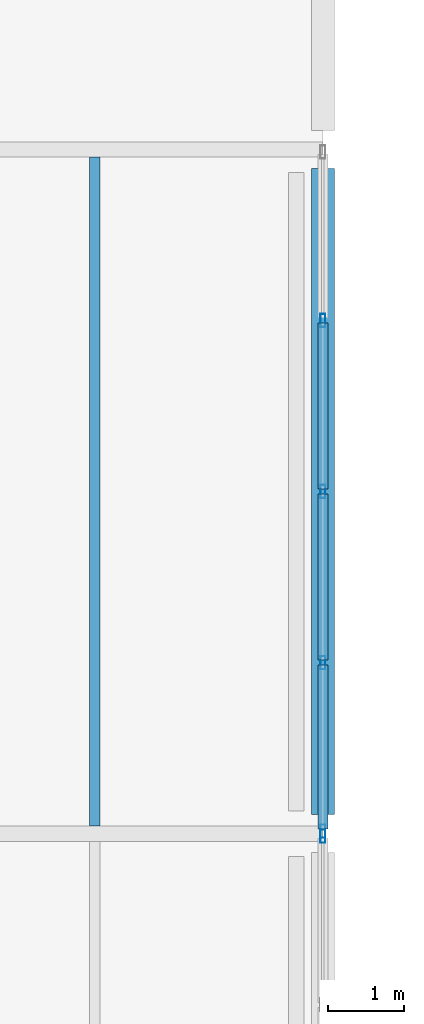
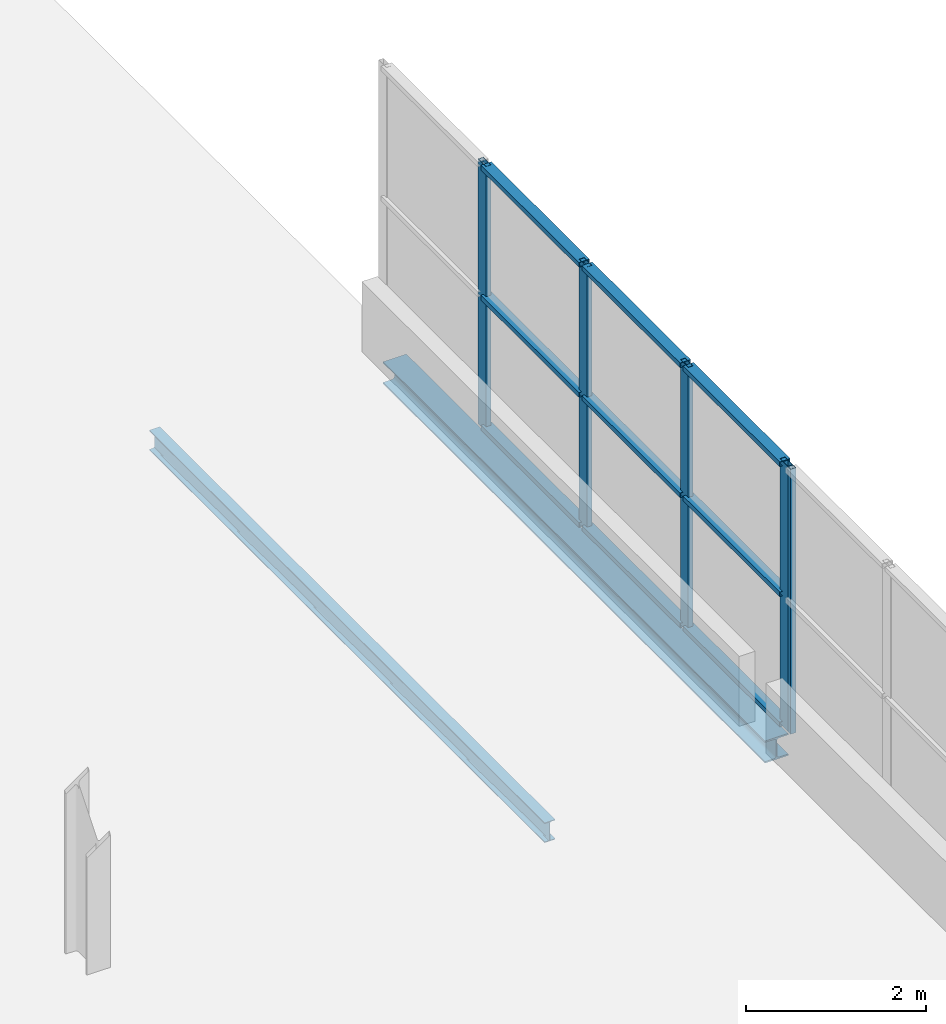
# One storey, part 31 of 88: 14 members, 2 beams, 2 elements without a shape of their own.
"""IFC4 building model written with IfcOpenShell, lengths in metres."""

from ifc_helpers import new_model, si_unit, direction, frame, origin, origin_2d, place, context, subcontext, project, spatial, hollow_rectangle, i_section, extrude, material, layer, layer_set, material_profile, profile_set, type_object, element, aggregate, save


model = new_model("IFC4")

# Units and contexts
model_context = context("Model", 3, precision=1e-05, world=origin(), true_north=direction((0.0, 1.0)))
body_context = subcontext(model_context, "Body", "Model", "MODEL_VIEW")
ifc_project = project(units=[si_unit("LENGTHUNIT", "METRE"), si_unit("AREAUNIT", "SQUARE_METRE"), si_unit("VOLUMEUNIT", "CUBIC_METRE"), si_unit("PLANEANGLEUNIT", "RADIAN"), si_unit("MASSUNIT", "GRAM", prefix="KILO")], contexts=[model_context])

# Site, building, storey
site_placement = place(None, origin())
site = spatial("IfcSite", under=ifc_project, at=site_placement, CompositionType="ELEMENT")
building_placement = place(site_placement, origin())
building = spatial("IfcBuilding", under=site, at=building_placement, Name="Deido Ridge Mobility Hub", CompositionType="ELEMENT")
storey_placement = place(building_placement, frame((0.0, 0.0, 16.800048828125)))
storey = spatial("IfcBuildingStorey", under=building, at=storey_placement, Name="L04", CompositionType="ELEMENT", Elevation=16.800048828125)

# Beam
ifc_material_1 = material(Name="Steel S355J2 EN 10025-2", Category="steel")
ifc_material_profile_1 = material_profile(ifc_material_1, i_section(OverallWidth=0.135009765625, OverallDepth=0.27001953125, WebThickness=0.006591796875, FlangeThickness=0.01025390625, FilletRadius=0.014892578125, at=origin_2d()), Name="IPE 270")
ifc_profile_set_1 = profile_set([ifc_material_profile_1], Name="Steel S355J2 EN 10025-2")
beam_type_1 = type_object("IfcBeamType", Name="JST-IPE270", PredefinedType="JOIST", material=ifc_profile_set_1)
beam_1_placement = place(storey_placement, frame((105.0, 63.10009765625, -0.41015625), z_axis=(0.0, 1.0, 0.0), x_axis=(-1.0, 0.0, 0.0)))
element("IfcBeam", 1, at=beam_1_placement, inside=storey, type_object=beam_type_1, Name="Composite joist J4", PredefinedType="JOIST", context=body_context, shape_type="SweptSolid", body=[
    extrude(i_section(OverallWidth=0.135009765625, OverallDepth=0.27001953125, WebThickness=0.006591796875, FlangeThickness=0.01025390625, FilletRadius=0.014892578125, at=origin_2d()), origin(), (0.0, 0.0, 1.0), 8.7998046875),
])

# Curtain wall, member
ifc_material_2 = material(Name="Anodised aluminium EN AW-6063 T6", Category="aluminium")
ifc_layer = layer(ifc_material_2, 0.2099609375, Name="Anodised aluminium EN AW-6063 T6")
ifc_layer_set = layer_set([ifc_layer], Name="Anodised aluminium EN AW-6063 T6")
curtain_wall_type = type_object("IfcCurtainWallType", Name="CW-UF-4", PredefinedType="USERDEFINED", material=ifc_layer_set)
curtain_wall_1_placement = place(storey_placement, origin())
curtain_wall_1 = element("IfcCurtainWall", 2, at=curtain_wall_1_placement, inside=storey, type_object=curtain_wall_type, Name="Unitised curtain wall CW4", ObjectType="UNITISED FACADE", PredefinedType="USERDEFINED")
ifc_material_profile_2 = material_profile(ifc_material_2, hollow_rectangle(XDim=0.06494140625, YDim=0.175048828125, WallThickness=0.00390625, at=origin_2d()), Name="RHS 65x175x4")
ifc_profile_set_2 = profile_set([ifc_material_profile_2], Name="Anodised aluminium EN AW-6063 T6")
member_type_1 = type_object("IfcMemberType", Name="MEM-MUL-65X175", PredefinedType="MULLION", material=ifc_profile_set_2)
member_1_placement = place(storey_placement, frame((108.0, 62.967529296875, 0.0), z_axis=(0.0, 0.0, 1.0), x_axis=(-1.0, 0.0, 0.0)))
member_1 = element("IfcMember", 3, at=member_1_placement, type_object=member_type_1, Name="CW4 mullion 5", PredefinedType="MULLION", context=body_context, shape_type="SweptSolid", body=[
    extrude(hollow_rectangle(XDim=0.06494140625, YDim=0.175048828125, WallThickness=0.00390625, at=origin_2d()), origin(), (0.0, 0.0, 1.0), 3.599853515625),
])
aggregate(curtain_wall_1, [member_1])

# Curtain wall, members
curtain_wall_2_placement = place(storey_placement, origin())
curtain_wall_2 = element("IfcCurtainWall", 4, at=curtain_wall_2_placement, inside=storey, type_object=curtain_wall_type, Name="Unitised curtain wall CW4", ObjectType="UNITISED FACADE", PredefinedType="USERDEFINED")
member_2_placement = place(storey_placement, frame((108.0, 63.032470703125, 0.0), z_axis=(0.0, 0.0, 1.0), x_axis=(-1.0, 0.0, 0.0)))
member_2 = element("IfcMember", 5, at=member_2_placement, type_object=member_type_1, Name="CW4 mullion 1", PredefinedType="MULLION", context=body_context, shape_type="SweptSolid", body=[
    extrude(hollow_rectangle(XDim=0.06494140625, YDim=0.175048828125, WallThickness=0.00390625, at=origin_2d()), origin(), (0.0, 0.0, 1.0), 3.599853515625),
])
member_3_placement = place(storey_placement, frame((108.0, 65.25, 0.0), z_axis=(0.0, 0.0, 1.0), x_axis=(-1.0, 0.0, 0.0)))
member_3 = element("IfcMember", 6, at=member_3_placement, type_object=member_type_1, Name="CW4 mullion 2", PredefinedType="MULLION", context=body_context, shape_type="SweptSolid", body=[
    extrude(hollow_rectangle(XDim=0.06494140625, YDim=0.175048828125, WallThickness=0.00390625, at=origin_2d()), origin(), (0.0, 0.0, 1.0), 3.599853515625),
])
member_4_placement = place(storey_placement, frame((108.0, 67.5, 0.0), z_axis=(0.0, 0.0, 1.0), x_axis=(-1.0, 0.0, 0.0)))
member_4 = element("IfcMember", 7, at=member_4_placement, type_object=member_type_1, Name="CW4 mullion 3", PredefinedType="MULLION", context=body_context, shape_type="SweptSolid", body=[
    extrude(hollow_rectangle(XDim=0.06494140625, YDim=0.175048828125, WallThickness=0.00390625, at=origin_2d()), origin(), (0.0, 0.0, 1.0), 3.599853515625),
])
member_5_placement = place(storey_placement, frame((108.0, 69.75, 0.0), z_axis=(0.0, 0.0, 1.0), x_axis=(-1.0, 0.0, 0.0)))
member_5 = element("IfcMember", 8, at=member_5_placement, type_object=member_type_1, Name="CW4 mullion 4", PredefinedType="MULLION", context=body_context, shape_type="SweptSolid", body=[
    extrude(hollow_rectangle(XDim=0.06494140625, YDim=0.175048828125, WallThickness=0.00390625, at=origin_2d()), origin(), (0.0, 0.0, 1.0), 3.599853515625),
])
ifc_material_profile_3 = material_profile(ifc_material_2, hollow_rectangle(XDim=0.135009765625, YDim=0.06494140625, WallThickness=0.00390625, at=origin_2d()), Name="RHS 135x65x4")
ifc_profile_set_3 = profile_set([ifc_material_profile_3], Name="Anodised aluminium EN AW-6063 T6")
member_type_2 = type_object("IfcMemberType", Name="MEM-TRN-135X65", PredefinedType="USERDEFINED", material=ifc_profile_set_3)
member_6_placement = place(storey_placement, frame((108.0, 63.06494140625, 0.032470703125), z_axis=(0.0, 1.0, 0.0), x_axis=(-1.0, 0.0, 0.0)))
member_6 = element("IfcMember", 9, at=member_6_placement, type_object=member_type_2, Name="CW4 transom 1.1", ObjectType="TRANSOM", PredefinedType="USERDEFINED", context=body_context, shape_type="SweptSolid", body=[
    extrude(hollow_rectangle(XDim=0.135009765625, YDim=0.06494140625, WallThickness=0.00390625, at=origin_2d()), origin(), (0.0, 0.0, 1.0), 2.152587890625),
])
member_7_placement = place(storey_placement, frame((108.0, 63.06494140625, 1.800048828125), z_axis=(0.0, 1.0, 0.0), x_axis=(-1.0, 0.0, 0.0)))
member_7 = element("IfcMember", 10, at=member_7_placement, type_object=member_type_2, Name="CW4 transom 1.2", ObjectType="TRANSOM", PredefinedType="USERDEFINED", context=body_context, shape_type="SweptSolid", body=[
    extrude(hollow_rectangle(XDim=0.135009765625, YDim=0.06494140625, WallThickness=0.00390625, at=origin_2d()), origin(), (0.0, 0.0, 1.0), 2.152587890625),
])
member_8_placement = place(storey_placement, frame((108.0, 63.06494140625, 3.5673828125), z_axis=(0.0, 1.0, 0.0), x_axis=(-1.0, 0.0, 0.0)))
member_8 = element("IfcMember", 11, at=member_8_placement, type_object=member_type_2, Name="CW4 transom 1.3", ObjectType="TRANSOM", PredefinedType="USERDEFINED", context=body_context, shape_type="SweptSolid", body=[
    extrude(hollow_rectangle(XDim=0.135009765625, YDim=0.06494140625, WallThickness=0.00390625, at=origin_2d()), origin(), (0.0, 0.0, 1.0), 2.152587890625),
])
member_9_placement = place(storey_placement, frame((108.0, 65.282470703125, 0.032470703125), z_axis=(0.0, 1.0, 0.0), x_axis=(-1.0, 0.0, 0.0)))
member_9 = element("IfcMember", 12, at=member_9_placement, type_object=member_type_2, Name="CW4 transom 2.1", ObjectType="TRANSOM", PredefinedType="USERDEFINED", context=body_context, shape_type="SweptSolid", body=[
    extrude(hollow_rectangle(XDim=0.135009765625, YDim=0.06494140625, WallThickness=0.00390625, at=origin_2d()), origin(), (0.0, 0.0, 1.0), 2.18505859375),
])
member_10_placement = place(storey_placement, frame((108.0, 65.282470703125, 1.800048828125), z_axis=(0.0, 1.0, 0.0), x_axis=(-1.0, 0.0, 0.0)))
member_10 = element("IfcMember", 13, at=member_10_placement, type_object=member_type_2, Name="CW4 transom 2.2", ObjectType="TRANSOM", PredefinedType="USERDEFINED", context=body_context, shape_type="SweptSolid", body=[
    extrude(hollow_rectangle(XDim=0.135009765625, YDim=0.06494140625, WallThickness=0.00390625, at=origin_2d()), origin(), (0.0, 0.0, 1.0), 2.18505859375),
])
member_11_placement = place(storey_placement, frame((108.0, 65.282470703125, 3.5673828125), z_axis=(0.0, 1.0, 0.0), x_axis=(-1.0, 0.0, 0.0)))
member_11 = element("IfcMember", 14, at=member_11_placement, type_object=member_type_2, Name="CW4 transom 2.3", ObjectType="TRANSOM", PredefinedType="USERDEFINED", context=body_context, shape_type="SweptSolid", body=[
    extrude(hollow_rectangle(XDim=0.135009765625, YDim=0.06494140625, WallThickness=0.00390625, at=origin_2d()), origin(), (0.0, 0.0, 1.0), 2.18505859375),
])
member_12_placement = place(storey_placement, frame((108.0, 67.532470703125, 0.032470703125), z_axis=(0.0, 1.0, 0.0), x_axis=(-1.0, 0.0, 0.0)))
member_12 = element("IfcMember", 15, at=member_12_placement, type_object=member_type_2, Name="CW4 transom 3.1", ObjectType="TRANSOM", PredefinedType="USERDEFINED", context=body_context, shape_type="SweptSolid", body=[
    extrude(hollow_rectangle(XDim=0.135009765625, YDim=0.06494140625, WallThickness=0.00390625, at=origin_2d()), origin(), (0.0, 0.0, 1.0), 2.18505859375),
])
member_13_placement = place(storey_placement, frame((108.0, 67.532470703125, 1.800048828125), z_axis=(0.0, 1.0, 0.0), x_axis=(-1.0, 0.0, 0.0)))
member_13 = element("IfcMember", 16, at=member_13_placement, type_object=member_type_2, Name="CW4 transom 3.2", ObjectType="TRANSOM", PredefinedType="USERDEFINED", context=body_context, shape_type="SweptSolid", body=[
    extrude(hollow_rectangle(XDim=0.135009765625, YDim=0.06494140625, WallThickness=0.00390625, at=origin_2d()), origin(), (0.0, 0.0, 1.0), 2.18505859375),
])
member_14_placement = place(storey_placement, frame((108.0, 67.532470703125, 3.5673828125), z_axis=(0.0, 1.0, 0.0), x_axis=(-1.0, 0.0, 0.0)))
member_14 = element("IfcMember", 17, at=member_14_placement, type_object=member_type_2, Name="CW4 transom 3.3", ObjectType="TRANSOM", PredefinedType="USERDEFINED", context=body_context, shape_type="SweptSolid", body=[
    extrude(hollow_rectangle(XDim=0.135009765625, YDim=0.06494140625, WallThickness=0.00390625, at=origin_2d()), origin(), (0.0, 0.0, 1.0), 2.18505859375),
])
aggregate(curtain_wall_2, [member_2, member_3, member_4, member_5, member_6, member_7, member_8, member_9, member_10, member_11, member_12, member_13, member_14])

# Beam
ifc_material_profile_4 = material_profile(ifc_material_1, i_section(OverallWidth=0.300048828125, OverallDepth=0.300048828125, WebThickness=0.010986328125, FlangeThickness=0.01904296875, FilletRadius=0.027099609375, at=origin_2d()), Name="HEB 300")
ifc_profile_set_4 = profile_set([ifc_material_profile_4], Name="Steel S355J2 EN 10025-2")
beam_type_2 = type_object("IfcBeamType", Name="SPD-HEB300", PredefinedType="SPANDREL", material=ifc_profile_set_4)
beam_2_placement = place(storey_placement, frame((108.0, 63.25, -0.425048828125), z_axis=(0.0, 1.0, 0.0), x_axis=(-1.0, 0.0, 0.0)))
element("IfcBeam", 18, at=beam_2_placement, inside=storey, type_object=beam_type_2, Name="Floor beam SP1", PredefinedType="SPANDREL", context=body_context, shape_type="SweptSolid", body=[
    extrude(i_section(OverallWidth=0.300048828125, OverallDepth=0.300048828125, WebThickness=0.010986328125, FlangeThickness=0.01904296875, FilletRadius=0.027099609375, at=origin_2d()), origin(), (0.0, 0.0, 1.0), 8.5),
])

save(model, "model.ifc")
